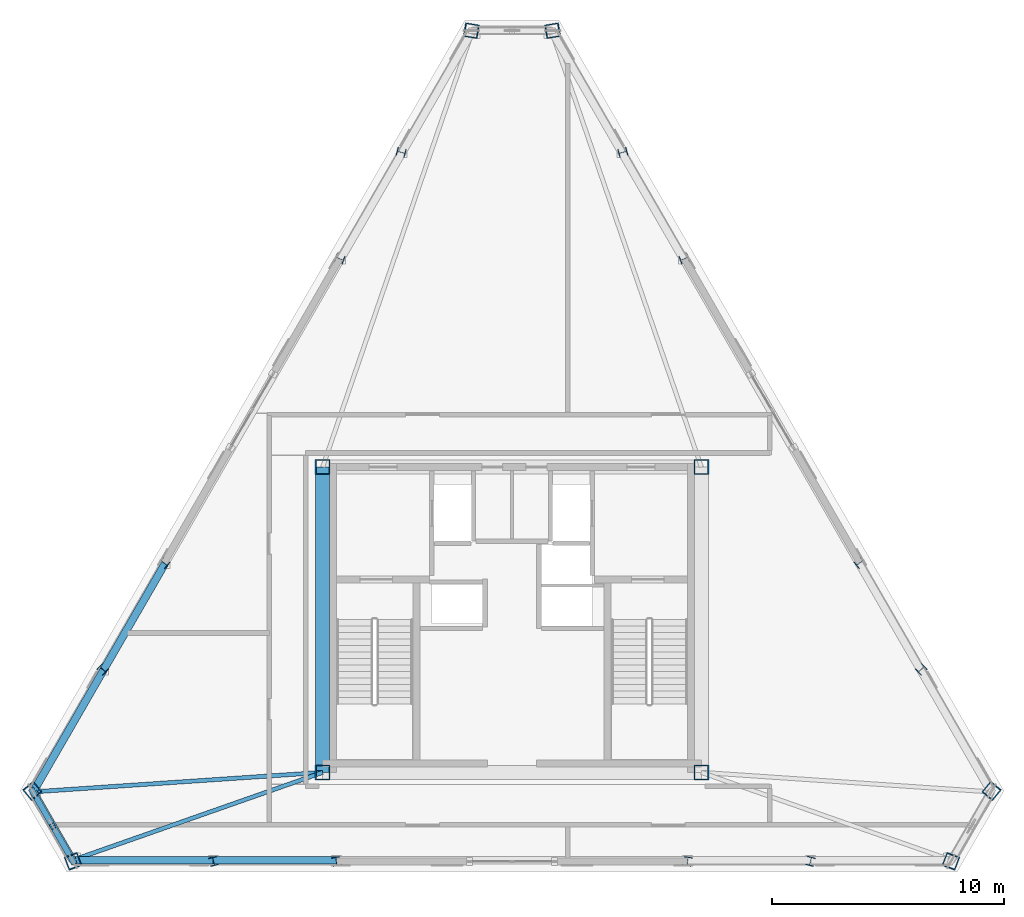
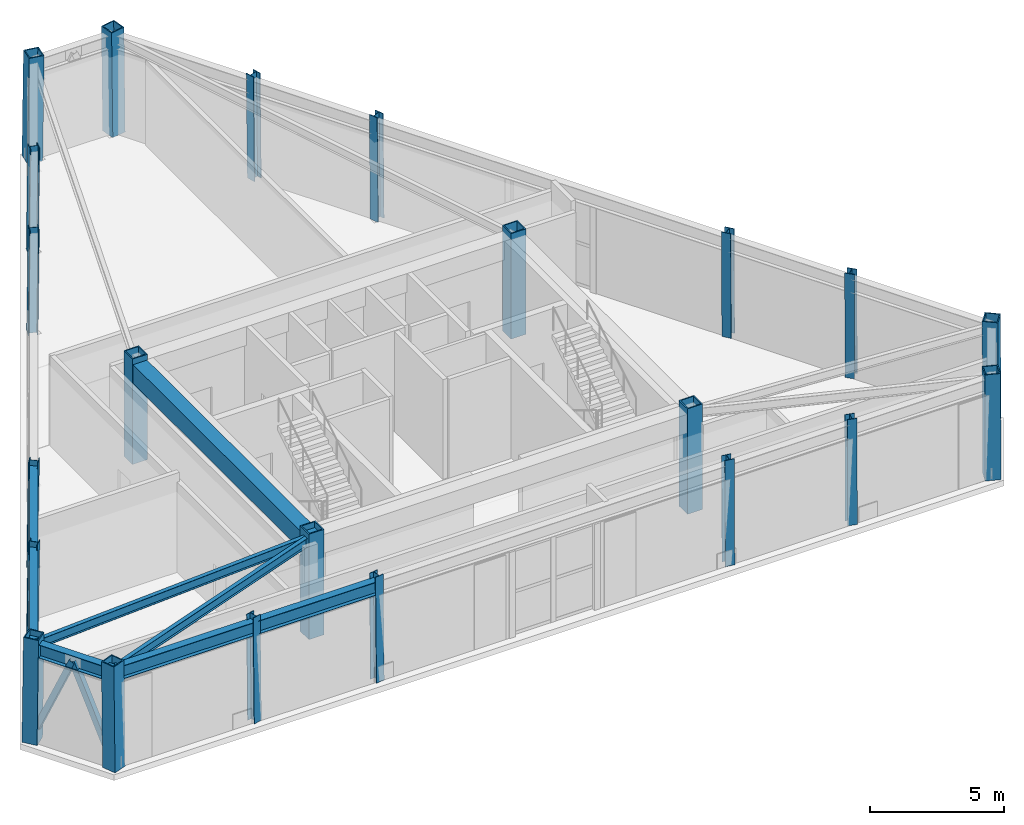
# One storey, part 1 of 12: 22 columns, 8 beams, 2 members.
"""IFC4 building model written with IfcOpenShell, lengths in metres."""

from ifc_helpers import new_model, si_unit, direction, frame, origin, origin_2d, place, context, subcontext, project, spatial, rectangle, hollow_rectangle, i_section, extrude, material, material_profile, profile_set, type_object, element, save


model = new_model("IFC4")

# Units and contexts
model_context = context("Model", 3, precision=1e-05, world=origin(), true_north=direction((0.0, 1.0)))
body_context = subcontext(model_context, "Body", "Model", "MODEL_VIEW")
ifc_project = project(units=[si_unit("LENGTHUNIT", "METRE"), si_unit("AREAUNIT", "SQUARE_METRE"), si_unit("VOLUMEUNIT", "CUBIC_METRE"), si_unit("PLANEANGLEUNIT", "RADIAN"), si_unit("MASSUNIT", "GRAM", prefix="KILO")], contexts=[model_context])

# Site, building, storey
site_placement = place(None, origin())
site = spatial("IfcSite", under=ifc_project, at=site_placement, CompositionType="ELEMENT")
building_placement = place(site_placement, origin())
building = spatial("IfcBuilding", under=site, at=building_placement, Name="Oramaril Tower", CompositionType="ELEMENT")
storey_placement = place(building_placement, frame((0.0, 0.0, 314.10009765625)))
storey = spatial("IfcBuildingStorey", under=building, at=storey_placement, Name="L82", CompositionType="ELEMENT", Elevation=314.10009765625)

# Columns
ifc_material_1 = material(Name="Steel ASTM A572 Gr 50", Category="steel")
ifc_material_profile_1 = material_profile(ifc_material_1, hollow_rectangle(XDim=0.64990234375, YDim=0.64990234375, WallThickness=0.050048828125, at=origin_2d()), Name="BOX650X650X50")
ifc_profile_set_1 = profile_set([ifc_material_profile_1], Name="Steel ASTM A572 Gr 50")
column_type_1 = type_object("IfcColumnType", Name="CT-CC5", PredefinedType="COLUMN", material=ifc_profile_set_1)
for number, where, z_axis, x_axis, name in (
    (1, (29.35009765625, 11.0, 0.0), (0.0, 0.0, 1.0), (1.0, 0.0, 0.0), "L82 Core Column CC-1"),
    (2, (45.64990234375, 11.0, 0.0), (0.0, 0.0, 1.0), (1.0, 0.0, 0.0), "L82 Core Column CC-2"),
    (3, (45.64990234375, 24.14990234375, 0.0), (0.0, 0.0, 1.0), (1.0, 0.0, 0.0), "L82 Core Column CC-3"),
    (4, (29.35009765625, 24.14990234375, 0.0), (0.0, 0.0, 1.0), (1.0, 0.0, 0.0), "L82 Core Column CC-4"),
):
    element("IfcColumn", number, at=place(storey_placement, frame(where, z_axis=z_axis, x_axis=x_axis)), inside=storey, type_object=column_type_1, Name=name, PredefinedType="COLUMN", context=body_context, shape_type="SweptSolid", body=[
        extrude(hollow_rectangle(XDim=0.64990234375, YDim=0.64990234375, WallThickness=0.050048828125, at=origin_2d()), origin(), (0.0, 0.0, 1.0), 4.7998046875),
    ])
ifc_material_2 = material(Name="Steel ASTM A572 Gr 50", Category="steel")
ifc_material_profile_2 = material_profile(ifc_material_2, hollow_rectangle(XDim=0.60009765625, YDim=0.60009765625, WallThickness=0.044921875, at=origin_2d()), Name="BOX600X600X45")
ifc_profile_set_2 = profile_set([ifc_material_profile_2], Name="Steel ASTM A572 Gr 50")
column_type_2 = type_object("IfcColumnType", Name="CT-TC5", PredefinedType="COLUMN", material=ifc_profile_set_2)
for number, where, z_axis, x_axis, name in (
    (5, (16.85107421875, 10.206298828125, 0.00439453125), (0.007745037411, -0.009477479989, 0.999925093079), (0.774328131647, 0.632784279625, 0.0), "L82 Tube Column TC-01"),
    (6, (18.607421875, 7.164306640625, 0.00439453125), (-0.004331108128, 0.011413743772, 0.999925481201), (-0.934949791539, -0.354780054825, 0.0), "L82 Tube Column TC-02"),
    (7, (56.392578125, 7.164306640625, 0.00439453125), (0.004331108128, 0.011413743772, 0.999925481201), (-0.934949791539, 0.354780054825, 0.0), "L82 Tube Column TC-03"),
    (8, (58.14892578125, 10.206298828125, 0.00439453125), (-0.007745037411, -0.009477479989, 0.999925093079), (0.774328131647, -0.632784279625, 0.0), "L82 Tube Column TC-04"),
    (9, (39.25634765625, 42.929443359375, 0.00439453125), (-0.012076144014, -0.001987213572, 0.999925106059), (0.162373195455, -0.986729418533, 0.0), "L82 Tube Column TC-05"),
    (10, (35.74365234375, 42.929443359375, 0.00439453125), (0.012076144014, -0.001987213572, 0.999925106059), (0.162373195455, 0.986729418533, 0.0), "L82 Tube Column TC-06"),
):
    element("IfcColumn", number, at=place(storey_placement, frame(where, z_axis=z_axis, x_axis=x_axis)), inside=storey, type_object=column_type_2, Name=name, PredefinedType="COLUMN", context=body_context, shape_type="SweptSolid", body=[
        extrude(hollow_rectangle(XDim=0.60009765625, YDim=0.60009765625, WallThickness=0.044921875, at=origin_2d()), origin(), (0.0, 0.0, 1.0), 4.791259765625),
    ])
ifc_material_3 = material(Name="Steel ASTM A572 Gr 50", Category="steel")
ifc_material_profile_3 = material_profile(ifc_material_3, i_section(OverallWidth=0.373046875, OverallDepth=0.373046875, WebThickness=0.016357421875, FlangeThickness=0.026123046875, at=origin_2d()), Name="W14X132")
ifc_profile_set_3 = profile_set([ifc_material_profile_3], Name="Steel ASTM A572 Gr 50")
column_type_3 = type_object("IfcColumnType", Name="CT-TF5", PredefinedType="COLUMN", material=ifc_profile_set_3)
for number, where, z_axis, x_axis, name in (
    (11, (24.653076171875, 7.164306640625, 0.00439453125), (-0.002955359183, 0.011413800981, 0.999930493084), (-0.968074621179, -0.250662178698, 0.0), "L82 Tube Column TC-07"),
    (12, (29.943115234375, 7.164306640625, 0.00439453125), (-0.001783411355, 0.011413832675, 0.999933269707), (-0.988012033751, -0.154376880274, 0.0), "L82 Tube Column TC-08"),
    (13, (45.056884765625, 7.164306640625, 0.00439453125), (0.001783411355, 0.011413832675, 0.999933269707), (-0.988012033751, 0.154376880274, 0.0), "L82 Tube Column TC-09"),
    (14, (50.346923828125, 7.164306640625, 0.00439453125), (0.002955359183, 0.011413800981, 0.999930493084), (-0.968074621179, 0.250662178698, 0.0), "L82 Tube Column TC-10"),
    (15, (55.126220703125, 15.44189453125, 0.00439453125), (-0.008458438943, -0.008254621138, 0.999930155581), (0.698431593966, -0.715676818508, 0.0), "L82 Tube Column TC-11"),
    (16, (52.481201171875, 20.023193359375, 0.00439453125), (-0.009018968234, -0.007184601813, 0.999933517644), (0.623077006527, -0.782160497556, 0.0), "L82 Tube Column TC-12"),
    (17, (44.924072265625, 33.112548828125, 0.00439453125), (-0.010751422617, -0.004229232594, 0.999933258024), (0.366061698472, -0.930590582862, 0.0), "L82 Tube Column TC-13"),
    (18, (42.279052734375, 37.693603515625, 0.00439453125), (-0.01136284784, -0.003108222952, 0.999930609912), (0.263849320607, -0.964563909762, 0.0), "L82 Tube Column TC-14"),
    (19, (32.720947265625, 37.693603515625, 0.00439453125), (0.01136284784, -0.003108222952, 0.999930609912), (0.263849320607, 0.964563909762, 0.0), "L82 Tube Column TC-15"),
    (20, (30.075927734375, 33.112548828125, 0.00439453125), (0.010751422617, -0.004229232594, 0.999933258024), (0.366061698472, 0.930590582862, 0.0), "L82 Tube Column TC-16"),
    (21, (22.518798828125, 20.023193359375, 0.00439453125), (0.009018968234, -0.007184601813, 0.999933517644), (0.623077006527, 0.782160497556, 0.0), "L82 Tube Column TC-17"),
    (22, (19.873779296875, 15.44189453125, 0.00439453125), (0.008458438943, -0.008254621138, 0.999930155581), (0.698431593966, 0.715676818508, 0.0), "L82 Tube Column TC-18"),
):
    element("IfcColumn", number, at=place(storey_placement, frame(where, z_axis=z_axis, x_axis=x_axis)), inside=storey, type_object=column_type_3, Name=name, PredefinedType="COLUMN", context=body_context, shape_type="SweptSolid", body=[
        extrude(i_section(OverallWidth=0.373046875, OverallDepth=0.373046875, WebThickness=0.016357421875, FlangeThickness=0.026123046875, at=origin_2d()), origin(), (0.0, 0.0, 1.0), 4.791259765625),
    ])

# Beams
ifc_material_4 = material(Name="Concrete C50/60", Category="concrete")
ifc_material_profile_4 = material_profile(ifc_material_4, rectangle(XDim=0.60009765625, YDim=0.85009765625, at=origin_2d()), Name="CB600X850")
ifc_profile_set_4 = profile_set([ifc_material_profile_4], Name="Concrete C50/60")
beam_type_1 = type_object("IfcBeamType", Name="BT-CB2", PredefinedType="BEAM", material=ifc_profile_set_4)
beam_1_placement = place(storey_placement, frame((29.35009765625, 24.14990234375, 4.114990234375), z_axis=(0.0, -1.0, 0.0), x_axis=(1.0, 0.0, 0.0)))
element("IfcBeam", 23, at=beam_1_placement, inside=storey, type_object=beam_type_1, Name="L82 Core Header Beam CB-4", PredefinedType="BEAM", context=body_context, shape_type="SweptSolid", body=[
    extrude(rectangle(XDim=0.60009765625, YDim=0.85009765625, at=origin_2d()), origin(), (0.0, 0.0, 1.0), 13.14990234375),
])
ifc_material_5 = material(Name="Steel ASTM A572 Gr 50", Category="steel")
ifc_material_profile_5 = material_profile(ifc_material_5, i_section(OverallWidth=0.177978515625, OverallDepth=0.404052734375, WebThickness=0.007568359375, FlangeThickness=0.010986328125, at=origin_2d()), Name="W16X36")
ifc_profile_set_5 = profile_set([ifc_material_profile_5], Name="Steel ASTM A572 Gr 50")
beam_type_2 = type_object("IfcBeamType", Name="BT-SB1", PredefinedType="BEAM", material=ifc_profile_set_5)
beam_2_placement = place(storey_placement, frame((29.35009765625, 11.0, 4.337890625), z_axis=(-0.997740741367, -0.067181939661, 0.0), x_axis=(0.067181939661, -0.997740741367, 0.0)))
element("IfcBeam", 24, at=beam_2_placement, inside=storey, type_object=beam_type_2, Name="L82 Radial Primary Beam RB-01", PredefinedType="BEAM", context=body_context, shape_type="SweptSolid", body=[
    extrude(i_section(OverallWidth=0.177978515625, OverallDepth=0.404052734375, WebThickness=0.007568359375, FlangeThickness=0.010986328125, at=origin_2d()), origin(), (0.0, 0.0, 1.0), 12.490234375),
])
beam_3_placement = place(storey_placement, frame((29.35009765625, 11.0, 4.337890625), z_axis=(-0.943480397326, -0.331428332919, 0.0), x_axis=(0.331428332919, -0.943480397326, 0.0)))
element("IfcBeam", 25, at=beam_3_placement, inside=storey, type_object=beam_type_2, Name="L82 Radial Primary Beam RB-02", PredefinedType="BEAM", context=body_context, shape_type="SweptSolid", body=[
    extrude(i_section(OverallWidth=0.177978515625, OverallDepth=0.404052734375, WebThickness=0.007568359375, FlangeThickness=0.010986328125, at=origin_2d()), origin(), (0.0, 0.0, 1.0), 11.408203125),
])
ifc_material_6 = material(Name="Steel ASTM A572 Gr 50", Category="steel")
ifc_material_profile_6 = material_profile(ifc_material_6, i_section(OverallWidth=0.324951171875, OverallDepth=0.612060546875, WebThickness=0.0126953125, FlangeThickness=0.01904296875, at=origin_2d()), Name="W24X104")
ifc_profile_set_6 = profile_set([ifc_material_profile_6], Name="Steel ASTM A572 Gr 50")
beam_type_3 = type_object("IfcBeamType", Name="BT-SP5", PredefinedType="SPANDREL", material=ifc_profile_set_6)
beam_4_placement = place(storey_placement, frame((16.88818359375, 10.160888671875, 4.23388671875), z_axis=(0.499996186757, -0.86602760535, 0.0), x_axis=(0.86602760535, 0.499996186757, 0.0)))
element("IfcBeam", 26, at=beam_4_placement, inside=storey, type_object=beam_type_3, Name="L82 Perimeter Spandrel 01", PredefinedType="SPANDREL", context=body_context, shape_type="SweptSolid", body=[
    extrude(i_section(OverallWidth=0.324951171875, OverallDepth=0.612060546875, WebThickness=0.0126953125, FlangeThickness=0.01904296875, at=origin_2d()), origin(), (0.0, 0.0, 1.0), 3.39697265625),
])
beam_5_placement = place(storey_placement, frame((18.586669921875, 7.218994140625, 4.23388671875), z_axis=(1.0, 0.0, 0.0), x_axis=(0.0, 1.0, 0.0)))
element("IfcBeam", 27, at=beam_5_placement, inside=storey, type_object=beam_type_3, Name="L82 Perimeter Spandrel 02", PredefinedType="SPANDREL", context=body_context, shape_type="SweptSolid", body=[
    extrude(i_section(OverallWidth=0.324951171875, OverallDepth=0.612060546875, WebThickness=0.0126953125, FlangeThickness=0.01904296875, at=origin_2d()), origin(), (0.0, 0.0, 1.0), 6.05224609375),
])
beam_6_placement = place(storey_placement, frame((24.638916015625, 7.218994140625, 4.23388671875), z_axis=(1.0, 0.0, 0.0), x_axis=(0.0, 1.0, 0.0)))
element("IfcBeam", 28, at=beam_6_placement, inside=storey, type_object=beam_type_3, Name="L82 Perimeter Spandrel 03", PredefinedType="SPANDREL", context=body_context, shape_type="SweptSolid", body=[
    extrude(i_section(OverallWidth=0.324951171875, OverallDepth=0.612060546875, WebThickness=0.0126953125, FlangeThickness=0.01904296875, at=origin_2d()), origin(), (0.0, 0.0, 1.0), 5.295654296875),
])
beam_7_placement = place(storey_placement, frame((22.56201171875, 19.98876953125, 4.23388671875), z_axis=(-0.499961891874, -0.866047404403, 0.0), x_axis=(0.866047404403, -0.499961891874, 0.0)))
element("IfcBeam", 29, at=beam_7_placement, inside=storey, type_object=beam_type_3, Name="L82 Perimeter Spandrel 17", PredefinedType="SPANDREL", context=body_context, shape_type="SweptSolid", body=[
    extrude(i_section(OverallWidth=0.324951171875, OverallDepth=0.612060546875, WebThickness=0.0126953125, FlangeThickness=0.01904296875, at=origin_2d()), origin(), (0.0, 0.0, 1.0), 5.2958984375),
])
beam_8_placement = place(storey_placement, frame((19.914306640625, 15.40234375, 4.23388671875), z_axis=(-0.499995978368, -0.866027725662, 0.0), x_axis=(0.866027725662, -0.499995978368, 0.0)))
element("IfcBeam", 30, at=beam_8_placement, inside=storey, type_object=beam_type_3, Name="L82 Perimeter Spandrel 18", PredefinedType="SPANDREL", context=body_context, shape_type="SweptSolid", body=[
    extrude(i_section(OverallWidth=0.324951171875, OverallDepth=0.612060546875, WebThickness=0.0126953125, FlangeThickness=0.01904296875, at=origin_2d()), origin(), (0.0, 0.0, 1.0), 6.05224609375),
])

# Members
ifc_material_7 = material(Name="Steel ASTM A572 Gr 50", Category="steel")
ifc_material_profile_7 = material_profile(ifc_material_7, hollow_rectangle(XDim=0.25, YDim=0.25, WallThickness=0.011962890625, at=origin_2d()), Name="HSS250X250X12")
ifc_profile_set_7 = profile_set([ifc_material_profile_7], Name="Steel ASTM A572 Gr 50")
member_type = type_object("IfcMemberType", Name="MT-KB3", PredefinedType="BRACE", material=ifc_profile_set_7)
for number, where, z_axis, x_axis, name in (
    (31, (16.85107421875, 10.206298828125, 0.179931640625), (0.198769531804, -0.344268608046, 0.91758912305), (0.866018913615, 0.500011241135, 0.0), "L82 Perimeter Chevron Brace KB-1A"),
    (32, (18.607421875, 7.164306640625, 0.179931640625), (-0.198769531804, 0.344268608046, 0.91758912305), (-0.866018913615, -0.500011241135, 0.0), "L82 Perimeter Chevron Brace KB-1B"),
):
    element("IfcMember", number, at=place(storey_placement, frame(where, z_axis=z_axis, x_axis=x_axis)), inside=storey, type_object=member_type, Name=name, PredefinedType="BRACE", context=body_context, shape_type="SweptSolid", body=[
        extrude(hollow_rectangle(XDim=0.25, YDim=0.25, WallThickness=0.011962890625, at=origin_2d()), origin(), (0.0, 0.0, 1.0), 4.41796875),
    ])

save(model, "model.ifc")
